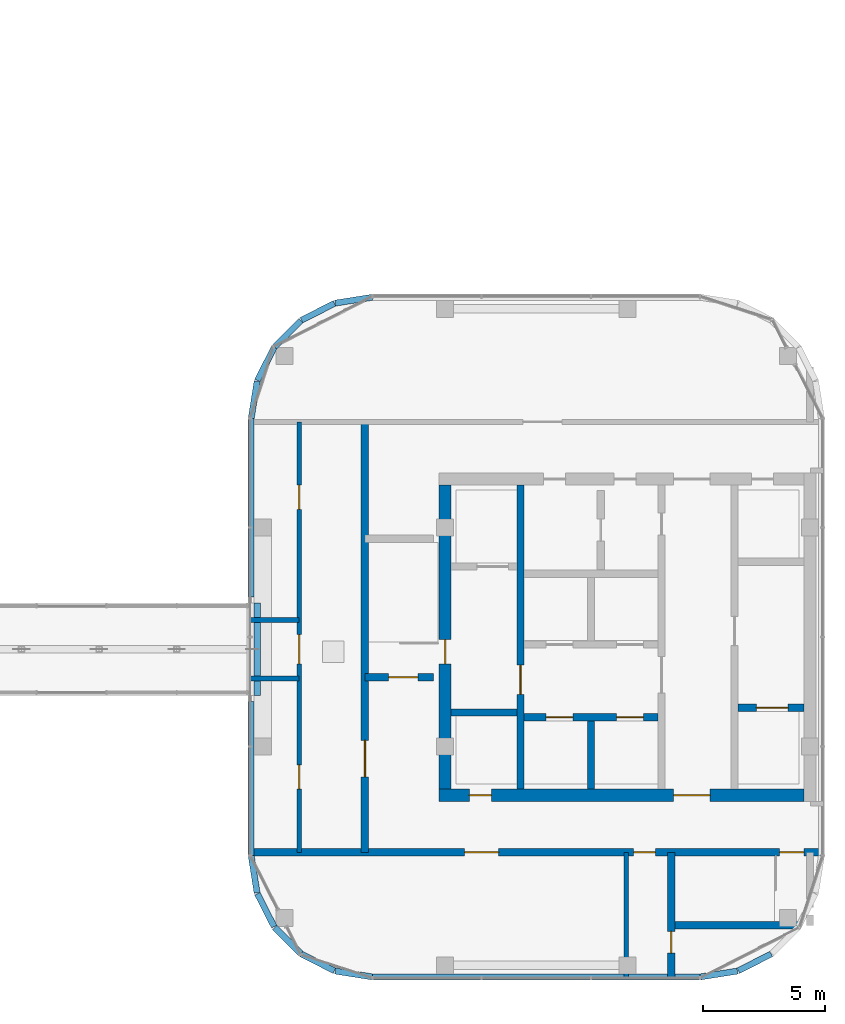
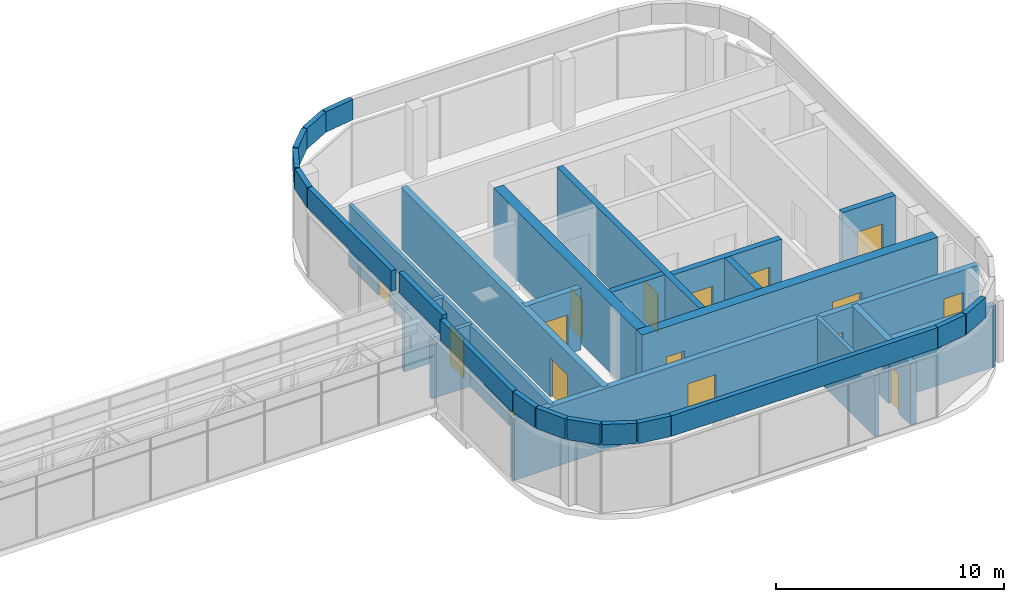
# One storey, part 23 of 33: 32 walls, 16 doors, 16 openings.
"""IFC4 building model written with IfcOpenShell, lengths in metres."""

from ifc_helpers import new_model, si_unit, direction, frame, frame_2d, origin, place, context, subcontext, project, spatial, rectangle, extrude, material, layer, layer_set, type_object, element, fill, save


model = new_model("IFC4")

# Units and contexts
model_context = context("Model", 3, precision=1e-05, world=origin(), true_north=direction((0.0, 1.0)))
body_context = subcontext(model_context, "Body", "Model", "MODEL_VIEW")
ifc_project = project(units=[si_unit("LENGTHUNIT", "METRE"), si_unit("AREAUNIT", "SQUARE_METRE"), si_unit("VOLUMEUNIT", "CUBIC_METRE"), si_unit("PLANEANGLEUNIT", "RADIAN"), si_unit("MASSUNIT", "GRAM", prefix="KILO")], contexts=[model_context])

# Site, building, storey
site_placement = place(None, origin())
site = spatial("IfcSite", under=ifc_project, at=site_placement, CompositionType="ELEMENT")
building_placement = place(site_placement, origin())
building = spatial("IfcBuilding", under=site, at=building_placement, Name="Ogive Portal Towers", CompositionType="ELEMENT")
storey_placement = place(building_placement, frame((0.0, 0.0, 101.89990234375)))
storey = spatial("IfcBuildingStorey", under=building, at=storey_placement, Name="L24", CompositionType="ELEMENT", Elevation=101.89990234375)

# Wall, opening, door
ifc_material_1 = material(Name="Concrete C60/75", Category="concrete")
ifc_layer_1 = layer(ifc_material_1, 0.300048828125)
ifc_layer_set_1 = layer_set([ifc_layer_1], Name="CORE WALL 300 C60")
wall_type_1 = type_object("IfcWallType", Name="CORE WALL 300 C60", PredefinedType="SHEAR", material=ifc_layer_set_1)
wall_1_placement = place(storey_placement, frame((132.10009765625, 24.75, 0.0), z_axis=(0.0, 0.0, 1.0), x_axis=(0.0, 1.0, 0.0)))
wall_1 = element("IfcWall", 1, at=wall_1_placement, inside=storey, type_object=wall_type_1, Name="Tower B core wall BX1 L24", PredefinedType="SHEAR", context=body_context, shape_type="SweptSolid", body=[
    extrude(rectangle(XDim=12.5, YDim=0.300048828125, at=frame_2d((6.25, 0.0))), origin(), (0.0, 0.0, 1.0), 3.7001953125),
])
opening_1_placement = place(wall_1_placement, frame((3.89990234375, 0.0, 0.0)))
opening_1 = element("IfcOpeningElement", 2, at=opening_1_placement, cuts=wall_1, Name="Opening B10-013", PredefinedType="OPENING", context=body_context, shape_type="SweptSolid", body=[
    extrude(rectangle(XDim=1.199951171875, YDim=2.10009765625, at=frame_2d((0.60009765625, 1.050048828125))), frame((0.0, 0.16015625, 0.0), z_axis=(0.0, -1.0, 0.0), x_axis=(1.0, 0.0, 0.0)), (0.0, 0.0, 1.0), 0.320068359375),
])
ifc_material_2 = material(Name="Steel fire door", Category="steel")
door_type_1 = type_object("IfcDoorType", Name="DT-SWING-1200x2100-FD90S", OperationType="SINGLE_SWING_LEFT", PredefinedType="DOOR", material=ifc_material_2)
door_1_placement = place(opening_1_placement, origin())
door_1 = element("IfcDoor", 3, at=door_1_placement, inside=storey, type_object=door_type_1, Name="Door B10-013", OperationType="SINGLE_SWING_LEFT", OverallHeight=2.10009765625, OverallWidth=1.199951171875, PredefinedType="DOOR", context=body_context, shape_type="SweptSolid", body=[
    extrude(rectangle(XDim=1.199951171875, YDim=2.10009765625, at=frame_2d((0.60009765625, 1.050048828125))), frame((0.0, 0.02490234375, 0.0), z_axis=(0.0, -1.0, 0.0), x_axis=(1.0, 0.0, 0.0)), (0.0, 0.0, 1.0), 0.050048828125),
])
fill(opening_1, door_1)

# Wall
wall_2_placement = place(storey_placement, frame((135.0, 24.75, 0.0), z_axis=(0.0, 0.0, 1.0), x_axis=(0.0, 1.0, 0.0)))
element("IfcWall", 4, at=wall_2_placement, inside=storey, type_object=wall_type_1, Name="Tower B core wall BX4 L24", PredefinedType="SHEAR", context=body_context, shape_type="SweptSolid", body=[
    extrude(rectangle(XDim=2.800048828125, YDim=0.300048828125, at=frame_2d((1.39990234375, 0.0))), origin(), (0.0, 0.0, 1.0), 3.7001953125),
])

# Wall, openings, doors
wall_3_placement = place(storey_placement, frame((132.25, 27.699951171875, 0.0), z_axis=(0.0, 0.0, 1.0), x_axis=(1.0, 0.0, 0.0)))
wall_3 = element("IfcWall", 5, at=wall_3_placement, inside=storey, type_object=wall_type_1, Name="Tower B core wall BY1 L24", PredefinedType="SHEAR", context=body_context, shape_type="SweptSolid", body=[
    extrude(rectangle(XDim=5.5, YDim=0.300048828125, at=frame_2d((2.75, 0.0))), origin(), (0.0, 0.0, 1.0), 3.7001953125),
])
opening_2_placement = place(wall_3_placement, frame((0.89990234375, 0.0, 0.0)))
opening_2 = element("IfcOpeningElement", 6, at=opening_2_placement, cuts=wall_3, Name="Opening B10-020", PredefinedType="OPENING", context=body_context, shape_type="SweptSolid", body=[
    extrude(rectangle(XDim=1.10009765625, YDim=2.39990234375, at=frame_2d((0.550048828125, 1.199951171875))), frame((0.0, 0.16015625, 0.0), z_axis=(0.0, -1.0, 0.0), x_axis=(1.0, 0.0, 0.0)), (0.0, 0.0, 1.0), 0.320068359375),
])
opening_3_placement = place(wall_3_placement, frame((3.800048828125, 0.0, 0.0)))
opening_3 = element("IfcOpeningElement", 7, at=opening_3_placement, cuts=wall_3, Name="Opening B10-021", PredefinedType="OPENING", context=body_context, shape_type="SweptSolid", body=[
    extrude(rectangle(XDim=1.10009765625, YDim=2.39990234375, at=frame_2d((0.550048828125, 1.199951171875))), frame((0.0, 0.16015625, 0.0), z_axis=(0.0, -1.0, 0.0), x_axis=(1.0, 0.0, 0.0)), (0.0, 0.0, 1.0), 0.320068359375),
])
ifc_material_3 = material(Name="Stainless steel", Category="steel")
door_type_2 = type_object("IfcDoorType", Name="DT-LD-1100x2400", OperationType="SLIDING_TO_LEFT", PredefinedType="DOOR", material=ifc_material_3)
door_2_placement = place(opening_2_placement, origin())
door_2 = element("IfcDoor", 8, at=door_2_placement, inside=storey, type_object=door_type_2, Name="Door B10-020", OperationType="SLIDING_TO_LEFT", OverallHeight=2.39990234375, OverallWidth=1.10009765625, PredefinedType="DOOR", context=body_context, shape_type="SweptSolid", body=[
    extrude(rectangle(XDim=1.10009765625, YDim=2.39990234375, at=frame_2d((0.550048828125, 1.199951171875))), frame((0.0, 0.02490234375, 0.0), z_axis=(0.0, -1.0, 0.0), x_axis=(1.0, 0.0, 0.0)), (0.0, 0.0, 1.0), 0.050048828125),
])
fill(opening_2, door_2)
door_3_placement = place(opening_3_placement, origin())
door_3 = element("IfcDoor", 9, at=door_3_placement, inside=storey, type_object=door_type_2, Name="Door B10-021", OperationType="SLIDING_TO_LEFT", OverallHeight=2.39990234375, OverallWidth=1.10009765625, PredefinedType="DOOR", context=body_context, shape_type="SweptSolid", body=[
    extrude(rectangle(XDim=1.10009765625, YDim=2.39990234375, at=frame_2d((0.550048828125, 1.199951171875))), frame((0.0, 0.02490234375, 0.0), z_axis=(0.0, -1.0, 0.0), x_axis=(1.0, 0.0, 0.0)), (0.0, 0.0, 1.0), 0.050048828125),
])
fill(opening_3, door_3)

# Wall
wall_4_placement = place(storey_placement, frame((129.25, 27.89990234375, 0.0), z_axis=(0.0, 0.0, 1.0), x_axis=(1.0, 0.0, 0.0)))
element("IfcWall", 10, at=wall_4_placement, inside=storey, type_object=wall_type_1, Name="Tower B core wall BY4 L24", PredefinedType="SHEAR", context=body_context, shape_type="SweptSolid", body=[
    extrude(rectangle(XDim=2.699951171875, YDim=0.300048828125, at=frame_2d((1.35009765625, 0.0))), origin(), (0.0, 0.0, 1.0), 3.7001953125),
])

# Wall, opening, door
wall_5_placement = place(storey_placement, frame((141.050048828125, 28.10009765625, 0.0), z_axis=(0.0, 0.0, 1.0), x_axis=(1.0, 0.0, 0.0)))
wall_5 = element("IfcWall", 11, at=wall_5_placement, inside=storey, type_object=wall_type_1, Name="Tower B core wall BY6 L24", PredefinedType="SHEAR", context=body_context, shape_type="SweptSolid", body=[
    extrude(rectangle(XDim=2.699951171875, YDim=0.300048828125, at=frame_2d((1.35009765625, 0.0))), origin(), (0.0, 0.0, 1.0), 3.7001953125),
])
opening_4_placement = place(wall_5_placement, frame((0.75, 0.0, 0.0)))
opening_4 = element("IfcOpeningElement", 12, at=opening_4_placement, cuts=wall_5, Name="Opening B10-025", PredefinedType="OPENING", context=body_context, shape_type="SweptSolid", body=[
    extrude(rectangle(XDim=1.300048828125, YDim=2.39990234375, at=frame_2d((0.64990234375, 1.199951171875))), frame((0.0, 0.16015625, 0.0), z_axis=(0.0, -1.0, 0.0), x_axis=(1.0, 0.0, 0.0)), (0.0, 0.0, 1.0), 0.320068359375),
])
door_type_3 = type_object("IfcDoorType", Name="DT-LD-1300x2400", OperationType="SLIDING_TO_LEFT", PredefinedType="DOOR", material=ifc_material_3)
door_4_placement = place(opening_4_placement, origin())
door_4 = element("IfcDoor", 13, at=door_4_placement, inside=storey, type_object=door_type_3, Name="Door B10-025", OperationType="SLIDING_TO_LEFT", OverallHeight=2.39990234375, OverallWidth=1.300048828125, PredefinedType="DOOR", context=body_context, shape_type="SweptSolid", body=[
    extrude(rectangle(XDim=1.300048828125, YDim=2.39990234375, at=frame_2d((0.64990234375, 1.199951171875))), frame((0.0, 0.02490234375, 0.0), z_axis=(0.0, -1.0, 0.0), x_axis=(1.0, 0.0, 0.0)), (0.0, 0.0, 1.0), 0.050048828125),
])
fill(opening_4, door_4)

ifc_layer_2 = layer(ifc_material_1, 0.5)
ifc_layer_set_2 = layer_set([ifc_layer_2], Name="CORE WALL 500 C60")
wall_type_2 = type_object("IfcWallType", Name="CORE WALL 500 C60", PredefinedType="SHEAR", material=ifc_layer_set_2)
wall_6_placement = place(storey_placement, frame((129.0, 24.75, 0.0), z_axis=(0.0, 0.0, 1.0), x_axis=(0.0, 1.0, 0.0)))
wall_6 = element("IfcWall", 14, at=wall_6_placement, inside=storey, type_object=wall_type_2, Name="Tower B core wall BW L24", PredefinedType="SHEAR", context=body_context, shape_type="SweptSolid", body=[
    extrude(rectangle(XDim=12.5, YDim=0.5, at=frame_2d((6.25, 0.0))), origin(), (0.0, 0.0, 1.0), 3.7001953125),
])
opening_5_placement = place(wall_6_placement, frame((5.14990234375, 0.0, 0.0)))
opening_5 = element("IfcOpeningElement", 15, at=opening_5_placement, cuts=wall_6, Name="Opening B10-015", PredefinedType="OPENING", context=body_context, shape_type="SweptSolid", body=[
    extrude(rectangle(XDim=1.0, YDim=2.10009765625, at=frame_2d((0.5, 1.050048828125))), frame((0.0, 0.260009765625, 0.0), z_axis=(0.0, -1.0, 0.0), x_axis=(1.0, 0.0, 0.0)), (0.0, 0.0, 1.0), 0.52001953125),
])
door_type_4 = type_object("IfcDoorType", Name="DT-SWING-1000x2100-FD90S", OperationType="SINGLE_SWING_LEFT", PredefinedType="DOOR", material=ifc_material_2)
door_5_placement = place(opening_5_placement, origin())
door_5 = element("IfcDoor", 16, at=door_5_placement, inside=storey, type_object=door_type_4, Name="Door B10-015", OperationType="SINGLE_SWING_RIGHT", OverallHeight=2.10009765625, OverallWidth=1.0, PredefinedType="DOOR", context=body_context, shape_type="SweptSolid", body=[
    extrude(rectangle(XDim=1.0, YDim=2.10009765625, at=frame_2d((0.5, 1.050048828125))), frame((0.0, 0.02490234375, 0.0), z_axis=(0.0, -1.0, 0.0), x_axis=(1.0, 0.0, 0.0)), (0.0, 0.0, 1.0), 0.050048828125),
])
fill(opening_5, door_5)

# Wall, openings, doors
wall_7_placement = place(storey_placement, frame((128.75, 24.5, 0.0), z_axis=(0.0, 0.0, 1.0), x_axis=(1.0, 0.0, 0.0)))
wall_7 = element("IfcWall", 17, at=wall_7_placement, inside=storey, type_object=wall_type_2, Name="Tower B core wall BS L24", PredefinedType="SHEAR", context=body_context, shape_type="SweptSolid", body=[
    extrude(rectangle(XDim=15.0, YDim=0.5, at=frame_2d((7.5, 0.0))), origin(), (0.0, 0.0, 1.0), 3.7001953125),
])
opening_6_placement = place(wall_7_placement, frame((9.64990234375, 0.0, 0.0)))
opening_6 = element("IfcOpeningElement", 18, at=opening_6_placement, cuts=wall_7, Name="Opening B10-016", PredefinedType="OPENING", context=body_context, shape_type="SweptSolid", body=[
    extrude(rectangle(XDim=1.5, YDim=2.10009765625, at=frame_2d((0.75, 1.050048828125))), frame((0.0, 0.260009765625, 0.0), z_axis=(0.0, -1.0, 0.0), x_axis=(1.0, 0.0, 0.0)), (0.0, 0.0, 1.0), 0.52001953125),
])
opening_7_placement = place(wall_7_placement, frame((1.25, 0.0, 0.0)))
opening_7 = element("IfcOpeningElement", 19, at=opening_7_placement, cuts=wall_7, Name="Opening B10-018", PredefinedType="OPENING", context=body_context, shape_type="SweptSolid", body=[
    extrude(rectangle(XDim=0.89990234375, YDim=2.10009765625, at=frame_2d((0.449951171875, 1.050048828125))), frame((0.0, 0.260009765625, 0.0), z_axis=(0.0, -1.0, 0.0), x_axis=(1.0, 0.0, 0.0)), (0.0, 0.0, 1.0), 0.52001953125),
])
door_type_5 = type_object("IfcDoorType", Name="DT-SWING-1500x2100-FD90S", OperationType="SINGLE_SWING_LEFT", PredefinedType="DOOR", material=ifc_material_2)
door_6_placement = place(opening_6_placement, origin())
door_6 = element("IfcDoor", 20, at=door_6_placement, inside=storey, type_object=door_type_5, Name="Door B10-016", OperationType="SINGLE_SWING_LEFT", OverallHeight=2.10009765625, OverallWidth=1.5, PredefinedType="DOOR", context=body_context, shape_type="SweptSolid", body=[
    extrude(rectangle(XDim=1.5, YDim=2.10009765625, at=frame_2d((0.75, 1.050048828125))), frame((0.0, 0.02490234375, 0.0), z_axis=(0.0, -1.0, 0.0), x_axis=(1.0, 0.0, 0.0)), (0.0, 0.0, 1.0), 0.050048828125),
])
fill(opening_6, door_6)
door_type_6 = type_object("IfcDoorType", Name="DT-SWING-900x2100-FD90S", OperationType="SINGLE_SWING_LEFT", PredefinedType="DOOR", material=ifc_material_2)
door_7_placement = place(opening_7_placement, origin())
door_7 = element("IfcDoor", 21, at=door_7_placement, inside=storey, type_object=door_type_6, Name="Riser access door B10-018", OperationType="SINGLE_SWING_LEFT", OverallHeight=2.10009765625, OverallWidth=0.89990234375, PredefinedType="DOOR", context=body_context, shape_type="SweptSolid", body=[
    extrude(rectangle(XDim=0.89990234375, YDim=2.10009765625, at=frame_2d((0.449951171875, 1.050048828125))), frame((0.0, 0.02490234375, 0.0), z_axis=(0.0, -1.0, 0.0), x_axis=(1.0, 0.0, 0.0)), (0.0, 0.0, 1.0), 0.050048828125),
])
fill(opening_7, door_7)

# Walls
ifc_material_4 = material(Name="Limestone cladding on lightweight block wall", Category="masonry")
ifc_layer_3 = layer(ifc_material_4, 0.25)
ifc_layer_set_3 = layer_set([ifc_layer_3], Name="PARAPET 250 STONE")
wall_type_3 = type_object("IfcWallType", Name="PARAPET 250 STONE", PredefinedType="PARAPET", material=ifc_layer_set_3)
wall_8_placement = place(storey_placement, frame((121.27490234375, 32.39990234375, 3.7001953125), z_axis=(0.0, 0.0, 1.0), x_axis=(0.0, -1.0, 0.0)))
element("IfcWall", 22, at=wall_8_placement, inside=storey, type_object=wall_type_3, Name="B:L24:roof0:para01", PredefinedType="PARAPET", context=body_context, shape_type="SweptSolid", body=[
    extrude(rectangle(XDim=3.7998046875, YDim=0.25, at=frame_2d((1.89990234375, 0.0))), origin(), (0.0, 0.0, 1.0), 1.099853515625),
])
wall_9_placement = place(storey_placement, frame((121.02490234375, 28.35009765625, 3.7001953125), z_axis=(0.0, 0.0, 1.0), x_axis=(0.0, -1.0, 0.0)))
element("IfcWall", 23, at=wall_9_placement, inside=storey, type_object=wall_type_3, Name="B:L24:roof0:para03", PredefinedType="PARAPET", context=body_context, shape_type="SweptSolid", body=[
    extrude(rectangle(XDim=6.330322265625, YDim=0.25, at=frame_2d((3.1650390625, 0.0))), origin(), (0.0, 0.0, 1.0), 1.099853515625),
])
wall_10_placement = place(storey_placement, frame((121.026611328125, 22.0, 3.7001953125), z_axis=(0.0, 0.0, 1.0), x_axis=(0.156378762167, -0.987697161453, 0.0)))
element("IfcWall", 24, at=wall_10_placement, inside=storey, type_object=wall_type_3, Name="B:L24:roof0:para04", PredefinedType="PARAPET", context=body_context, shape_type="SweptSolid", body=[
    extrude(rectangle(XDim=1.5361328125, YDim=0.25, at=frame_2d((0.76806640625, 0.0))), origin(), (0.0, 0.0, 1.0), 1.099853515625),
])
wall_11_placement = place(storey_placement, frame((121.279052734375, 20.445556640625, 3.7001953125), z_axis=(0.0, 0.0, 1.0), x_axis=(0.453961953638, -0.891021068577, 0.0)))
element("IfcWall", 25, at=wall_11_placement, inside=storey, type_object=wall_type_3, Name="B:L24:roof0:para05", PredefinedType="PARAPET", context=body_context, shape_type="SweptSolid", body=[
    extrude(rectangle(XDim=1.5166015625, YDim=0.25, at=frame_2d((0.75830078125, 0.0))), origin(), (0.0, 0.0, 1.0), 1.099853515625),
])
wall_12_placement = place(storey_placement, frame((121.990478515625, 19.062744140625, 3.7001953125), z_axis=(0.0, 0.0, 1.0), x_axis=(0.707106781187, -0.707106781187, 0.0)))
element("IfcWall", 26, at=wall_12_placement, inside=storey, type_object=wall_type_3, Name="B:L24:roof0:para06", PredefinedType="PARAPET", context=body_context, shape_type="SweptSolid", body=[
    extrude(rectangle(XDim=1.516357421875, YDim=0.25, at=frame_2d((0.75830078125, 0.0))), origin(), (0.0, 0.0, 1.0), 1.099853515625),
])
wall_13_placement = place(storey_placement, frame((123.09423828125, 17.967529296875, 3.7001953125), z_axis=(0.0, 0.0, 1.0), x_axis=(0.891021068577, -0.453961953638, 0.0)))
element("IfcWall", 27, at=wall_13_placement, inside=storey, type_object=wall_type_3, Name="B:L24:roof0:para07", PredefinedType="PARAPET", context=body_context, shape_type="SweptSolid", body=[
    extrude(rectangle(XDim=1.5166015625, YDim=0.25, at=frame_2d((0.75830078125, 0.0))), origin(), (0.0, 0.0, 1.0), 1.099853515625),
])
wall_14_placement = place(storey_placement, frame((124.482666015625, 17.266845703125, 3.7001953125), z_axis=(0.0, 0.0, 1.0), x_axis=(0.987697161453, -0.156378762167, 0.0)))
element("IfcWall", 28, at=wall_14_placement, inside=storey, type_object=wall_type_3, Name="B:L24:roof0:para08", PredefinedType="PARAPET", context=body_context, shape_type="SweptSolid", body=[
    extrude(rectangle(XDim=1.5361328125, YDim=0.25, at=frame_2d((0.76806640625, 0.0))), origin(), (0.0, 0.0, 1.0), 1.099853515625),
])
wall_15_placement = place(storey_placement, frame((126.019775390625, 17.02490234375, 3.7001953125), z_axis=(0.0, 0.0, 1.0), x_axis=(1.0, 0.0, 0.0)))
element("IfcWall", 29, at=wall_15_placement, inside=storey, type_object=wall_type_3, Name="B:L24:roof0:para09", PredefinedType="PARAPET", context=body_context, shape_type="SweptSolid", body=[
    extrude(rectangle(XDim=13.46044921875, YDim=0.25, at=frame_2d((6.730224609375, 0.0))), origin(), (0.0, 0.0, 1.0), 1.099853515625),
])
wall_16_placement = place(storey_placement, frame((139.5, 17.026611328125, 3.7001953125), z_axis=(0.0, 0.0, 1.0), x_axis=(0.987697161453, 0.156378762167, 0.0)))
element("IfcWall", 30, at=wall_16_placement, inside=storey, type_object=wall_type_3, Name="B:L24:roof0:para10", PredefinedType="PARAPET", context=body_context, shape_type="SweptSolid", body=[
    extrude(rectangle(XDim=1.5361328125, YDim=0.25, at=frame_2d((0.76806640625, 0.0))), origin(), (0.0, 0.0, 1.0), 1.099853515625),
])
wall_17_placement = place(storey_placement, frame((141.054443359375, 17.279052734375, 3.7001953125), z_axis=(0.0, 0.0, 1.0), x_axis=(0.891021068577, 0.453961953638, 0.0)))
element("IfcWall", 31, at=wall_17_placement, inside=storey, type_object=wall_type_3, Name="B:L24:roof0:para11", PredefinedType="PARAPET", context=body_context, shape_type="SweptSolid", body=[
    extrude(rectangle(XDim=1.5166015625, YDim=0.25, at=frame_2d((0.75830078125, 0.0))), origin(), (0.0, 0.0, 1.0), 1.099853515625),
])
wall_18_placement = place(storey_placement, frame((126.0, 44.973388671875, 3.7001953125), z_axis=(0.0, 0.0, 1.0), x_axis=(-0.987697161453, -0.156378762167, 0.0)))
element("IfcWall", 32, at=wall_18_placement, inside=storey, type_object=wall_type_3, Name="B:L24:roof0:para22", PredefinedType="PARAPET", context=body_context, shape_type="SweptSolid", body=[
    extrude(rectangle(XDim=1.5361328125, YDim=0.25, at=frame_2d((0.76806640625, 0.0))), origin(), (0.0, 0.0, 1.0), 1.099853515625),
])
wall_19_placement = place(storey_placement, frame((124.445556640625, 44.720947265625, 3.7001953125), z_axis=(0.0, 0.0, 1.0), x_axis=(-0.891021068577, -0.453961953638, 0.0)))
element("IfcWall", 33, at=wall_19_placement, inside=storey, type_object=wall_type_3, Name="B:L24:roof0:para23", PredefinedType="PARAPET", context=body_context, shape_type="SweptSolid", body=[
    extrude(rectangle(XDim=1.5166015625, YDim=0.25, at=frame_2d((0.75830078125, 0.0))), origin(), (0.0, 0.0, 1.0), 1.099853515625),
])
wall_20_placement = place(storey_placement, frame((123.062744140625, 44.009521484375, 3.7001953125), z_axis=(0.0, 0.0, 1.0), x_axis=(-0.707106781187, -0.707106781187, 0.0)))
element("IfcWall", 34, at=wall_20_placement, inside=storey, type_object=wall_type_3, Name="B:L24:roof0:para24", PredefinedType="PARAPET", context=body_context, shape_type="SweptSolid", body=[
    extrude(rectangle(XDim=1.516357421875, YDim=0.25, at=frame_2d((0.75830078125, 0.0))), origin(), (0.0, 0.0, 1.0), 1.099853515625),
])
wall_21_placement = place(storey_placement, frame((121.967529296875, 42.90576171875, 3.7001953125), z_axis=(0.0, 0.0, 1.0), x_axis=(-0.453961953638, -0.891021068577, 0.0)))
element("IfcWall", 35, at=wall_21_placement, inside=storey, type_object=wall_type_3, Name="B:L24:roof0:para25", PredefinedType="PARAPET", context=body_context, shape_type="SweptSolid", body=[
    extrude(rectangle(XDim=1.5166015625, YDim=0.25, at=frame_2d((0.75830078125, 0.0))), origin(), (0.0, 0.0, 1.0), 1.099853515625),
])
wall_22_placement = place(storey_placement, frame((121.266845703125, 41.517333984375, 3.7001953125), z_axis=(0.0, 0.0, 1.0), x_axis=(-0.156378762167, -0.987697161453, 0.0)))
element("IfcWall", 36, at=wall_22_placement, inside=storey, type_object=wall_type_3, Name="B:L24:roof0:para26", PredefinedType="PARAPET", context=body_context, shape_type="SweptSolid", body=[
    extrude(rectangle(XDim=1.5361328125, YDim=0.25, at=frame_2d((0.76806640625, 0.0))), origin(), (0.0, 0.0, 1.0), 1.099853515625),
])
wall_23_placement = place(storey_placement, frame((121.02490234375, 39.980224609375, 3.7001953125), z_axis=(0.0, 0.0, 1.0), x_axis=(0.0, -1.0, 0.0)))
element("IfcWall", 37, at=wall_23_placement, inside=storey, type_object=wall_type_3, Name="B:L24:roof0:para27", PredefinedType="PARAPET", context=body_context, shape_type="SweptSolid", body=[
    extrude(rectangle(XDim=7.330322265625, YDim=0.25, at=frame_2d((3.6650390625, 0.0))), origin(), (0.0, 0.0, 1.0), 1.099853515625),
])
ifc_material_5 = material(Name="Gypsum board partition on steel studs", Category="steel")
ifc_layer_4 = layer(ifc_material_5, 0.199951171875)
ifc_layer_set_4 = layer_set([ifc_layer_4], Name="WT-PART-200-EI 60")
wall_type_4 = type_object("IfcWallType", Name="WT-PART-200-EI 60", PredefinedType="PARTITIONING", material=ifc_layer_set_4)
for number, where, z_axis, x_axis, name in (
    (38, (120.969970703125, 29.300048828125, 0.0), (0.0, 0.0, 1.0), (1.0, 0.0, 0.0), "Wall L24:w005"),
    (39, (120.969970703125, 31.699951171875, 0.0), (0.0, 0.0, 1.0), (1.0, 0.0, 0.0), "Wall L24:w007"),
):
    element("IfcWall", number, at=place(storey_placement, frame(where, z_axis=z_axis, x_axis=x_axis)), inside=storey, type_object=wall_type_4, Name=name, PredefinedType="PARTITIONING", context=body_context, shape_type="SweptSolid", body=[
        extrude(rectangle(XDim=2.030029296875, YDim=0.199951171875, at=frame_2d((1.01513671875, 0.0))), origin(), (0.0, 0.0, 1.0), 3.300048828125),
    ])

# Wall, openings, doors
wall_24_placement = place(storey_placement, frame((123.0, 22.14990234375, 0.0), z_axis=(0.0, 0.0, 1.0), x_axis=(0.0, 1.0, 0.0)))
wall_24 = element("IfcWall", 40, at=wall_24_placement, inside=storey, type_object=wall_type_4, Name="Wall L24:w012", PredefinedType="PARTITIONING", context=body_context, shape_type="SweptSolid", body=[
    extrude(rectangle(XDim=17.7001953125, YDim=0.199951171875, at=frame_2d((8.85009765625, 0.0))), origin(), (0.0, 0.0, 1.0), 3.300048828125),
])
opening_8_placement = place(wall_24_placement, frame((7.75, 0.0, 0.0)))
opening_8 = element("IfcOpeningElement", 41, at=opening_8_placement, cuts=wall_24, Name="Opening B10-008", PredefinedType="OPENING", context=body_context, shape_type="SweptSolid", body=[
    extrude(rectangle(XDim=1.199951171875, YDim=2.10009765625, at=frame_2d((0.60009765625, 1.050048828125))), frame((0.0, 0.10986328125, 0.0), z_axis=(0.0, -1.0, 0.0), x_axis=(1.0, 0.0, 0.0)), (0.0, 0.0, 1.0), 0.219970703125),
])
opening_9_placement = place(wall_24_placement, frame((2.60009765625, 0.0, 0.0)))
opening_9 = element("IfcOpeningElement", 42, at=opening_9_placement, cuts=wall_24, Name="Opening B10-009", PredefinedType="OPENING", context=body_context, shape_type="SweptSolid", body=[
    extrude(rectangle(XDim=1.0, YDim=2.10009765625, at=frame_2d((0.5, 1.050048828125))), frame((0.0, 0.10986328125, 0.0), z_axis=(0.0, -1.0, 0.0), x_axis=(1.0, 0.0, 0.0)), (0.0, 0.0, 1.0), 0.219970703125),
])
opening_10_placement = place(wall_24_placement, frame((14.10009765625, 0.0, 0.0)))
opening_10 = element("IfcOpeningElement", 43, at=opening_10_placement, cuts=wall_24, Name="Opening B10-010", PredefinedType="OPENING", context=body_context, shape_type="SweptSolid", body=[
    extrude(rectangle(XDim=1.0, YDim=2.10009765625, at=frame_2d((0.5, 1.050048828125))), frame((0.0, 0.10986328125, 0.0), z_axis=(0.0, -1.0, 0.0), x_axis=(1.0, 0.0, 0.0)), (0.0, 0.0, 1.0), 0.219970703125),
])
door_type_7 = type_object("IfcDoorType", Name="DT-SWING-1000x2100-FD60S", OperationType="SINGLE_SWING_LEFT", PredefinedType="DOOR", material=ifc_material_2)
door_8_placement = place(opening_9_placement, origin())
door_8 = element("IfcDoor", 44, at=door_8_placement, inside=storey, type_object=door_type_7, Name="Door B10-009", OperationType="SINGLE_SWING_RIGHT", OverallHeight=2.10009765625, OverallWidth=1.0, PredefinedType="DOOR", context=body_context, shape_type="SweptSolid", body=[
    extrude(rectangle(XDim=1.0, YDim=2.10009765625, at=frame_2d((0.5, 1.050048828125))), frame((0.0, 0.02490234375, 0.0), z_axis=(0.0, -1.0, 0.0), x_axis=(1.0, 0.0, 0.0)), (0.0, 0.0, 1.0), 0.050048828125),
])
fill(opening_9, door_8)
door_9_placement = place(opening_10_placement, origin())
door_9 = element("IfcDoor", 45, at=door_9_placement, inside=storey, type_object=door_type_7, Name="Door B10-010", OperationType="SINGLE_SWING_LEFT", OverallHeight=2.10009765625, OverallWidth=1.0, PredefinedType="DOOR", context=body_context, shape_type="SweptSolid", body=[
    extrude(rectangle(XDim=1.0, YDim=2.10009765625, at=frame_2d((0.5, 1.050048828125))), frame((0.0, 0.02490234375, 0.0), z_axis=(0.0, -1.0, 0.0), x_axis=(1.0, 0.0, 0.0)), (0.0, 0.0, 1.0), 0.050048828125),
])
fill(opening_10, door_9)
door_type_8 = type_object("IfcDoorType", Name="DT-SWING-1200x2100-FD60S", OperationType="SINGLE_SWING_LEFT", PredefinedType="DOOR", material=ifc_material_2)
door_10_placement = place(opening_8_placement, origin())
door_10 = element("IfcDoor", 46, at=door_10_placement, inside=storey, type_object=door_type_8, Name="Door B10-008", OperationType="SINGLE_SWING_LEFT", OverallHeight=2.10009765625, OverallWidth=1.199951171875, PredefinedType="DOOR", context=body_context, shape_type="SweptSolid", body=[
    extrude(rectangle(XDim=1.199951171875, YDim=2.10009765625, at=frame_2d((0.60009765625, 1.050048828125))), frame((0.0, 0.02490234375, 0.0), z_axis=(0.0, -1.0, 0.0), x_axis=(1.0, 0.0, 0.0)), (0.0, 0.0, 1.0), 0.050048828125),
])
fill(opening_8, door_10)

# Walls
wall_25_placement = place(storey_placement, frame((136.449951171875, 16.969970703125, 0.0), z_axis=(0.0, 0.0, 1.0), x_axis=(0.0, 1.0, 0.0)))
element("IfcWall", 47, at=wall_25_placement, inside=storey, type_object=wall_type_4, Name="Wall L24:w017", PredefinedType="PARTITIONING", context=body_context, shape_type="SweptSolid", body=[
    extrude(rectangle(XDim=5.179931640625, YDim=0.199951171875, at=frame_2d((2.58984375, 0.0))), origin(), (0.0, 0.0, 1.0), 3.300048828125),
])
ifc_material_6 = material(Name="Concrete C40/50", Category="concrete")
ifc_layer_5 = layer(ifc_material_6, 0.300048828125)
ifc_layer_set_5 = layer_set([ifc_layer_5], Name="WT-SHAFT-300")
wall_type_5 = type_object("IfcWallType", Name="WT-SHAFT-300", PredefinedType="SOLIDWALL", material=ifc_layer_set_5)
wall_26_placement = place(storey_placement, frame((138.25, 19.14990234375, 0.0), z_axis=(0.0, 0.0, 1.0), x_axis=(1.0, 0.0, 0.0)))
element("IfcWall", 48, at=wall_26_placement, inside=storey, type_object=wall_type_5, Name="Wall L24:w001", PredefinedType="SOLIDWALL", context=body_context, shape_type="SweptSolid", body=[
    extrude(rectangle(XDim=5.373046875, YDim=0.300048828125, at=frame_2d((2.6865234375, 0.0))), origin(), (0.0, 0.0, 1.0), 3.300048828125),
])

# Wall, openings, doors
wall_27_placement = place(storey_placement, frame((120.969970703125, 22.14990234375, 0.0), z_axis=(0.0, 0.0, 1.0), x_axis=(1.0, 0.0, 0.0)))
wall_27 = element("IfcWall", 49, at=wall_27_placement, inside=storey, type_object=wall_type_5, Name="Wall L24:w002", PredefinedType="SOLIDWALL", context=body_context, shape_type="SweptSolid", body=[
    extrude(rectangle(XDim=23.56005859375, YDim=0.300048828125, at=frame_2d((11.780029296875, 0.0))), origin(), (0.0, 0.0, 1.0), 3.300048828125),
])
opening_11_placement = place(wall_27_placement, frame((21.780029296875, 0.0, 0.0)))
opening_11 = element("IfcOpeningElement", 50, at=opening_11_placement, cuts=wall_27, Name="Opening B10-002", PredefinedType="OPENING", context=body_context, shape_type="SweptSolid", body=[
    extrude(rectangle(XDim=1.0, YDim=2.10009765625, at=frame_2d((0.5, 1.050048828125))), frame((0.0, 0.16015625, 0.0), z_axis=(0.0, -1.0, 0.0), x_axis=(1.0, 0.0, 0.0)), (0.0, 0.0, 1.0), 0.320068359375),
])
opening_12_placement = place(wall_27_placement, frame((8.830078125, 0.0, 0.0)))
opening_12 = element("IfcOpeningElement", 51, at=opening_12_placement, cuts=wall_27, Name="Opening B10-005", PredefinedType="OPENING", context=body_context, shape_type="SweptSolid", body=[
    extrude(rectangle(XDim=1.39990234375, YDim=2.10009765625, at=frame_2d((0.699951171875, 1.050048828125))), frame((0.0, 0.16015625, 0.0), z_axis=(0.0, -1.0, 0.0), x_axis=(1.0, 0.0, 0.0)), (0.0, 0.0, 1.0), 0.320068359375),
])
opening_13_placement = place(wall_27_placement, frame((15.780029296875, 0.0, 0.0)))
opening_13 = element("IfcOpeningElement", 52, at=opening_13_placement, cuts=wall_27, Name="Opening B10-006", PredefinedType="OPENING", context=body_context, shape_type="SweptSolid", body=[
    extrude(rectangle(XDim=0.89990234375, YDim=2.10009765625, at=frame_2d((0.449951171875, 1.050048828125))), frame((0.0, 0.16015625, 0.0), z_axis=(0.0, -1.0, 0.0), x_axis=(1.0, 0.0, 0.0)), (0.0, 0.0, 1.0), 0.320068359375),
])
door_11_placement = place(opening_11_placement, origin())
door_11 = element("IfcDoor", 53, at=door_11_placement, inside=storey, type_object=door_type_4, Name="Door B10-002", OperationType="SINGLE_SWING_RIGHT", OverallHeight=2.10009765625, OverallWidth=1.0, PredefinedType="DOOR", context=body_context, shape_type="SweptSolid", body=[
    extrude(rectangle(XDim=1.0, YDim=2.10009765625, at=frame_2d((0.5, 1.050048828125))), frame((0.0, 0.02490234375, 0.0), z_axis=(0.0, -1.0, 0.0), x_axis=(1.0, 0.0, 0.0)), (0.0, 0.0, 1.0), 0.050048828125),
])
fill(opening_11, door_11)
door_type_9 = type_object("IfcDoorType", Name="DT-SWING-1400x2100-FD90S", OperationType="SINGLE_SWING_LEFT", PredefinedType="DOOR", material=ifc_material_2)
door_12_placement = place(opening_12_placement, origin())
door_12 = element("IfcDoor", 54, at=door_12_placement, inside=storey, type_object=door_type_9, Name="Door B10-005", OperationType="SINGLE_SWING_LEFT", OverallHeight=2.10009765625, OverallWidth=1.39990234375, PredefinedType="DOOR", context=body_context, shape_type="SweptSolid", body=[
    extrude(rectangle(XDim=1.39990234375, YDim=2.10009765625, at=frame_2d((0.699951171875, 1.050048828125))), frame((0.0, 0.02490234375, 0.0), z_axis=(0.0, -1.0, 0.0), x_axis=(1.0, 0.0, 0.0)), (0.0, 0.0, 1.0), 0.050048828125),
])
fill(opening_12, door_12)
door_13_placement = place(opening_13_placement, origin())
door_13 = element("IfcDoor", 55, at=door_13_placement, inside=storey, type_object=door_type_6, Name="Door B10-006", OperationType="SINGLE_SWING_RIGHT", OverallHeight=2.10009765625, OverallWidth=0.89990234375, PredefinedType="DOOR", context=body_context, shape_type="SweptSolid", body=[
    extrude(rectangle(XDim=0.89990234375, YDim=2.10009765625, at=frame_2d((0.449951171875, 1.050048828125))), frame((0.0, 0.02490234375, 0.0), z_axis=(0.0, -1.0, 0.0), x_axis=(1.0, 0.0, 0.0)), (0.0, 0.0, 1.0), 0.050048828125),
])
fill(opening_13, door_13)

# Wall, opening, door
wall_28_placement = place(storey_placement, frame((125.699951171875, 29.35009765625, 0.0), z_axis=(0.0, 0.0, 1.0), x_axis=(1.0, 0.0, 0.0)))
wall_28 = element("IfcWall", 56, at=wall_28_placement, inside=storey, type_object=wall_type_5, Name="Wall L24:w006", PredefinedType="SOLIDWALL", context=body_context, shape_type="SweptSolid", body=[
    extrude(rectangle(XDim=2.830078125, YDim=0.300048828125, at=frame_2d((1.4150390625, 0.0))), origin(), (0.0, 0.0, 1.0), 3.300048828125),
])
opening_14_placement = place(wall_28_placement, frame((0.97509765625, 0.0, 0.0)))
opening_14 = element("IfcOpeningElement", 57, at=opening_14_placement, cuts=wall_28, Name="Opening B10-001", PredefinedType="OPENING", context=body_context, shape_type="SweptSolid", body=[
    extrude(rectangle(XDim=1.199951171875, YDim=2.10009765625, at=frame_2d((0.60009765625, 1.050048828125))), frame((0.0, 0.16015625, 0.0), z_axis=(0.0, -1.0, 0.0), x_axis=(1.0, 0.0, 0.0)), (0.0, 0.0, 1.0), 0.320068359375),
])
door_14_placement = place(opening_14_placement, origin())
door_14 = element("IfcDoor", 58, at=door_14_placement, inside=storey, type_object=door_type_1, Name="Door B10-001", OperationType="SINGLE_SWING_LEFT", OverallHeight=2.10009765625, OverallWidth=1.199951171875, PredefinedType="DOOR", context=body_context, shape_type="SweptSolid", body=[
    extrude(rectangle(XDim=1.199951171875, YDim=2.10009765625, at=frame_2d((0.60009765625, 1.050048828125))), frame((0.0, 0.02490234375, 0.0), z_axis=(0.0, -1.0, 0.0), x_axis=(1.0, 0.0, 0.0)), (0.0, 0.0, 1.0), 0.050048828125),
])
fill(opening_14, door_14)

wall_29_placement = place(storey_placement, frame((125.699951171875, 22.14990234375, 0.0), z_axis=(0.0, 0.0, 1.0), x_axis=(0.0, 1.0, 0.0)))
wall_29 = element("IfcWall", 59, at=wall_29_placement, inside=storey, type_object=wall_type_5, Name="Wall L24:w013", PredefinedType="SOLIDWALL", context=body_context, shape_type="SweptSolid", body=[
    extrude(rectangle(XDim=17.7001953125, YDim=0.300048828125, at=frame_2d((8.85009765625, 0.0))), origin(), (0.0, 0.0, 1.0), 3.300048828125),
])
opening_15_placement = place(wall_29_placement, frame((3.10009765625, 0.0, 0.0)))
opening_15 = element("IfcOpeningElement", 60, at=opening_15_placement, cuts=wall_29, Name="Opening B10-011", PredefinedType="OPENING", context=body_context, shape_type="SweptSolid", body=[
    extrude(rectangle(XDim=1.5, YDim=2.10009765625, at=frame_2d((0.75, 1.050048828125))), frame((0.0, 0.16015625, 0.0), z_axis=(0.0, -1.0, 0.0), x_axis=(1.0, 0.0, 0.0)), (0.0, 0.0, 1.0), 0.320068359375),
])
door_15_placement = place(opening_15_placement, origin())
door_15 = element("IfcDoor", 61, at=door_15_placement, inside=storey, type_object=door_type_5, Name="Door B10-011", OperationType="SINGLE_SWING_RIGHT", OverallHeight=2.10009765625, OverallWidth=1.5, PredefinedType="DOOR", context=body_context, shape_type="SweptSolid", body=[
    extrude(rectangle(XDim=1.5, YDim=2.10009765625, at=frame_2d((0.75, 1.050048828125))), frame((0.0, 0.02490234375, 0.0), z_axis=(0.0, -1.0, 0.0), x_axis=(1.0, 0.0, 0.0)), (0.0, 0.0, 1.0), 0.050048828125),
])
fill(opening_15, door_15)

wall_30_placement = place(storey_placement, frame((138.300048828125, 16.969970703125, 0.0), z_axis=(0.0, 0.0, 1.0), x_axis=(0.0, 1.0, 0.0)))
wall_30 = element("IfcWall", 62, at=wall_30_placement, inside=storey, type_object=wall_type_5, Name="Wall L24:w018", PredefinedType="SOLIDWALL", context=body_context, shape_type="SweptSolid", body=[
    extrude(rectangle(XDim=5.179931640625, YDim=0.300048828125, at=frame_2d((2.58984375, 0.0))), origin(), (0.0, 0.0, 1.0), 3.300048828125),
])
opening_16_placement = place(wall_30_placement, frame((1.030029296875, 0.0, 0.0)))
opening_16 = element("IfcOpeningElement", 63, at=opening_16_placement, cuts=wall_30, Name="Opening B10-007", PredefinedType="OPENING", context=body_context, shape_type="SweptSolid", body=[
    extrude(rectangle(XDim=0.89990234375, YDim=2.10009765625, at=frame_2d((0.449951171875, 1.050048828125))), frame((0.0, 0.16015625, 0.0), z_axis=(0.0, -1.0, 0.0), x_axis=(1.0, 0.0, 0.0)), (0.0, 0.0, 1.0), 0.320068359375),
])
door_16_placement = place(opening_16_placement, origin())
door_16 = element("IfcDoor", 64, at=door_16_placement, inside=storey, type_object=door_type_6, Name="Door B10-007", OperationType="SINGLE_SWING_RIGHT", OverallHeight=2.10009765625, OverallWidth=0.89990234375, PredefinedType="DOOR", context=body_context, shape_type="SweptSolid", body=[
    extrude(rectangle(XDim=0.89990234375, YDim=2.10009765625, at=frame_2d((0.449951171875, 1.050048828125))), frame((0.0, 0.02490234375, 0.0), z_axis=(0.0, -1.0, 0.0), x_axis=(1.0, 0.0, 0.0)), (0.0, 0.0, 1.0), 0.050048828125),
])
fill(opening_16, door_16)

save(model, "model.ifc")
